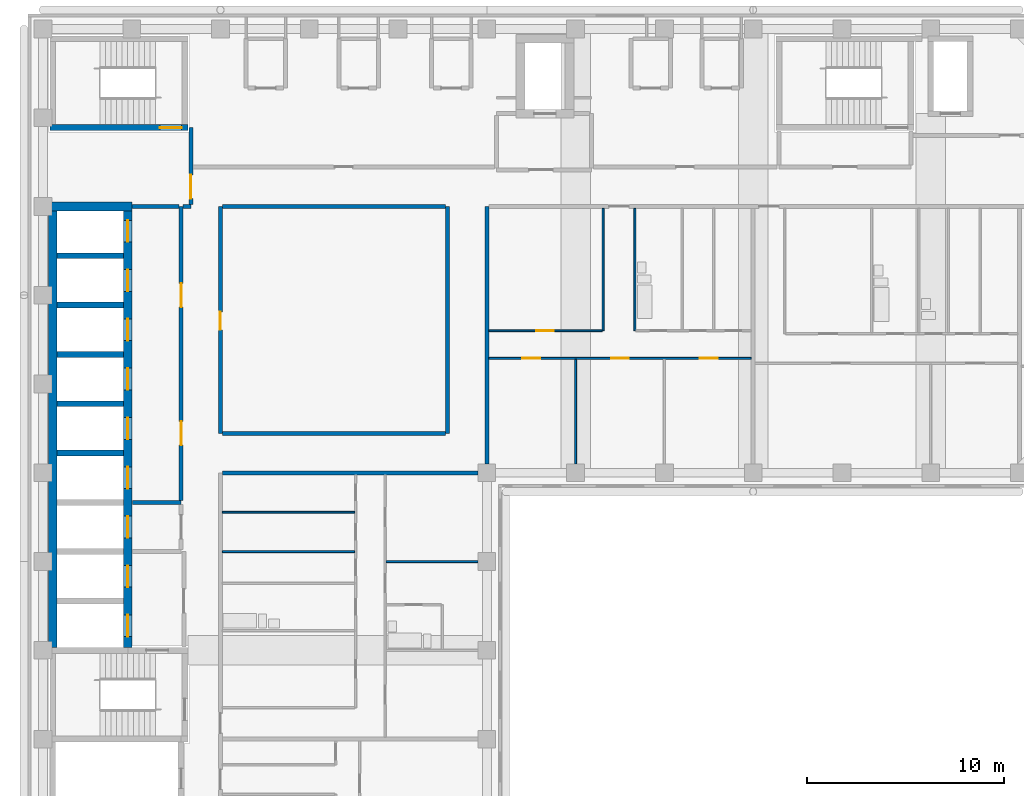
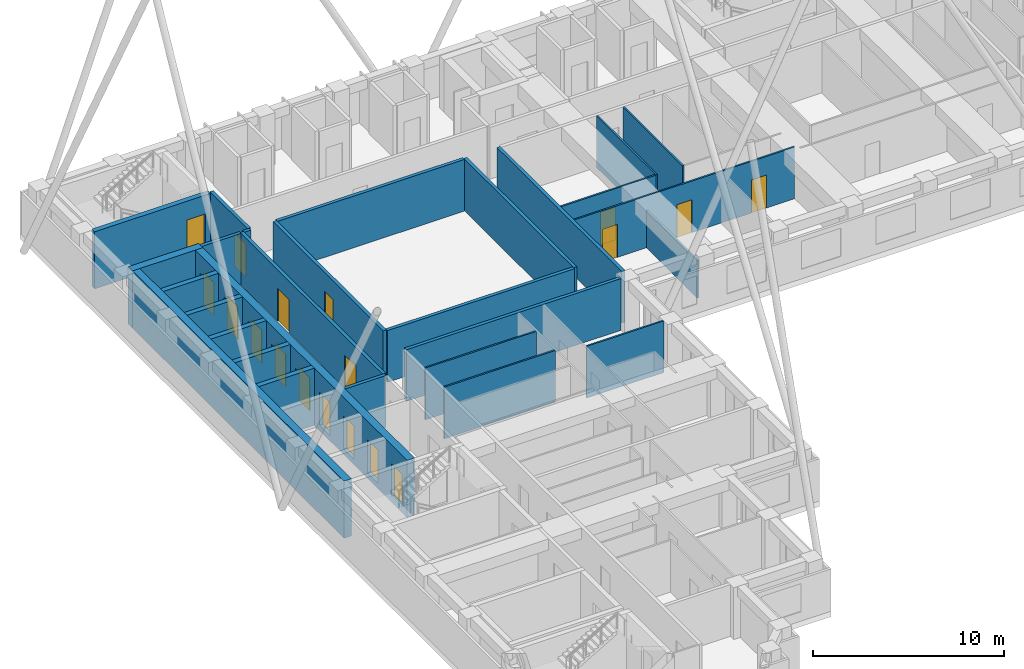
# One storey, part 5 of 11: 28 walls, 18 doors, 18 openings.
"""IFC4 building model written with IfcOpenShell, lengths in metres."""

from ifc_helpers import new_model, si_unit, direction, frame, frame_2d, origin, place, context, subcontext, project, spatial, rectangle, extrude, material, layer, layer_set, type_object, element, fill, save


model = new_model("IFC4")

# Units and contexts
model_context = context("Model", 3, precision=1e-05, world=origin(), true_north=direction((0.0, 1.0)))
body_context = subcontext(model_context, "Body", "Model", "MODEL_VIEW")
ifc_project = project(units=[si_unit("LENGTHUNIT", "METRE"), si_unit("AREAUNIT", "SQUARE_METRE"), si_unit("VOLUMEUNIT", "CUBIC_METRE"), si_unit("PLANEANGLEUNIT", "RADIAN"), si_unit("MASSUNIT", "GRAM", prefix="KILO")], contexts=[model_context])

# Site, building, storey
site_placement = place(None, origin())
site = spatial("IfcSite", under=ifc_project, at=site_placement, CompositionType="ELEMENT")
building_placement = place(site_placement, origin())
building = spatial("IfcBuilding", under=site, at=building_placement, Name="Firuza Court", CompositionType="ELEMENT")
storey_placement = place(building_placement, frame((0.0, 0.0, 186.199951171875)))
storey = spatial("IfcBuildingStorey", under=building, at=storey_placement, Name="L47", CompositionType="ELEMENT", Elevation=186.199951171875)

# Wall
ifc_material_1 = material(Name="Moisture-resistant gypsum board partition")
ifc_layer_1 = layer(ifc_material_1, 0.10009765625)
ifc_layer_set_1 = layer_set([ifc_layer_1], Name="Moisture-resistant gypsum board partition")
wall_type_1 = type_object("IfcWallType", Name="Bathroom partition 100", PredefinedType="PLUMBINGWALL", material=ifc_layer_set_1)
wall_1_placement = place(storey_placement, frame((30.0, 43.199951171875, 0.0), z_axis=(0.0, 0.0, 1.0), x_axis=(0.0, 1.0, 0.0)))
element("IfcWall", 1, at=wall_1_placement, inside=storey, type_object=wall_type_1, Name="Bathroom partition 100 L47", PredefinedType="PLUMBINGWALL", context=body_context, shape_type="SweptSolid", body=[
    extrude(rectangle(XDim=6.199951171875, YDim=0.10009765625, at=frame_2d((3.10009765625, 0.0))), origin(), (0.0, 0.0, 1.0), 3.300048828125),
])

# Wall, opening, door
ifc_material_2 = material(Name="Concrete C50/60", Category="concrete")
ifc_layer_2 = layer(ifc_material_2, 0.300048828125)
ifc_layer_set_2 = layer_set([ifc_layer_2], Name="Concrete C50/60")
wall_type_2 = type_object("IfcWallType", Name="Core wall 300 C50/60", PredefinedType="SHEAR", material=ifc_layer_set_2)
wall_2_placement = place(storey_placement, frame((0.35009765625, 53.5, -0.349853515625), z_axis=(0.0, 0.0, 1.0), x_axis=(1.0, 0.0, 0.0)))
wall_2 = element("IfcWall", 2, at=wall_2_placement, inside=storey, type_object=wall_type_2, Name="Core wall stair L47", PredefinedType="SHEAR", context=body_context, shape_type="SweptSolid", body=[
    extrude(rectangle(XDim=7.0, YDim=0.300048828125, at=frame_2d((3.5, 0.0))), origin(), (0.0, 0.0, 1.0), 3.64990234375),
])
opening_1_placement = place(wall_2_placement, frame((5.580078125, 0.0, 0.35009765625)))
opening_1 = element("IfcOpeningElement", 3, at=opening_1_placement, cuts=wall_2, Name="Opening D47014", PredefinedType="OPENING", context=body_context, shape_type="SweptSolid", body=[
    extrude(rectangle(XDim=1.10009765625, YDim=2.10009765625, at=frame_2d((0.550048828125, 1.050048828125))), frame((0.0, 0.162109375, 0.0), z_axis=(0.0, -1.0, 0.0), x_axis=(1.0, 0.0, 0.0)), (0.0, 0.0, 1.0), 0.323974609375),
])
ifc_material_3 = material(Name="Timber door leaf in hardwood frame", Category="wood")
door_type_1 = type_object("IfcDoorType", Name="Stair door 1100", OperationType="SINGLE_SWING_LEFT", PredefinedType="DOOR", material=ifc_material_3)
door_1_placement = place(opening_1_placement, origin())
door_1 = element("IfcDoor", 4, at=door_1_placement, inside=storey, type_object=door_type_1, Name="Stair door S3", OperationType="SINGLE_SWING_RIGHT", OverallHeight=2.10009765625, OverallWidth=1.10009765625, PredefinedType="DOOR", context=body_context, shape_type="SweptSolid", body=[
    extrude(rectangle(XDim=1.10009765625, YDim=2.10009765625, at=frame_2d((0.550048828125, 1.050048828125))), frame((0.0, 0.02490234375, 0.0), z_axis=(0.0, -1.0, 0.0), x_axis=(1.0, 0.0, 0.0)), (0.0, 0.0, 1.0), 0.050048828125),
])
fill(opening_1, door_1)

# Walls
for number, where, z_axis, x_axis, name in (
    (5, (0.72509765625, 37.0, -0.349853515625), (0.0, 0.0, 1.0), (1.0, 0.0, 0.0), "Core wall lift shaft L47"),
    (6, (0.72509765625, 39.5, -0.349853515625), (0.0, 0.0, 1.0), (1.0, 0.0, 0.0), "Core wall lift shaft L47"),
    (7, (0.72509765625, 42.0, -0.349853515625), (0.0, 0.0, 1.0), (1.0, 0.0, 0.0), "Core wall lift shaft L47"),
    (8, (0.72509765625, 44.5, -0.349853515625), (0.0, 0.0, 1.0), (1.0, 0.0, 0.0), "Core wall lift shaft L47"),
    (9, (0.72509765625, 47.0, -0.349853515625), (0.0, 0.0, 1.0), (1.0, 0.0, 0.0), "Core wall lift shaft L47"),
):
    element("IfcWall", number, at=place(storey_placement, frame(where, z_axis=z_axis, x_axis=x_axis)), inside=storey, type_object=wall_type_2, Name=name, PredefinedType="SHEAR", context=body_context, shape_type="SweptSolid", body=[
        extrude(rectangle(XDim=3.349853515625, YDim=0.300048828125, at=frame_2d((1.6748046875, 0.0))), origin(), (0.0, 0.0, 1.0), 3.64990234375),
    ])
ifc_layer_3 = layer(ifc_material_2, 0.449951171875)
ifc_layer_set_3 = layer_set([ifc_layer_3], Name="Concrete C50/60")
wall_type_3 = type_object("IfcWallType", Name="Core wall 450 C50/60", PredefinedType="SHEAR", material=ifc_layer_set_3)
wall_3_placement = place(storey_placement, frame((0.27490234375, 49.5, -0.349853515625), z_axis=(0.0, 0.0, 1.0), x_axis=(1.0, 0.0, 0.0)))
element("IfcWall", 10, at=wall_3_placement, inside=storey, type_object=wall_type_3, Name="Core wall lift shaft L47", PredefinedType="SHEAR", context=body_context, shape_type="SweptSolid", body=[
    extrude(rectangle(XDim=4.25, YDim=0.449951171875, at=frame_2d((2.125, 0.0))), origin(), (0.0, 0.0, 1.0), 3.64990234375),
])
wall_4_placement = place(storey_placement, frame((0.5, 27.14990234375, -0.349853515625), z_axis=(0.0, 0.0, 1.0), x_axis=(0.0, 1.0, 0.0)))
element("IfcWall", 11, at=wall_4_placement, inside=storey, type_object=wall_type_3, Name="Core wall lift shaft L47", PredefinedType="SHEAR", context=body_context, shape_type="SweptSolid", body=[
    extrude(rectangle(XDim=22.125, YDim=0.449951171875, at=frame_2d((11.0625, 0.0))), origin(), (0.0, 0.0, 1.0), 3.64990234375),
])

# Wall, openings, doors
wall_5_placement = place(storey_placement, frame((4.300048828125, 27.14990234375, -0.349853515625), z_axis=(0.0, 0.0, 1.0), x_axis=(0.0, 1.0, 0.0)))
wall_5 = element("IfcWall", 12, at=wall_5_placement, inside=storey, type_object=wall_type_3, Name="Core wall lift shaft L47", PredefinedType="SHEAR", context=body_context, shape_type="SweptSolid", body=[
    extrude(rectangle(XDim=22.125, YDim=0.449951171875, at=frame_2d((11.0625, 0.0))), origin(), (0.0, 0.0, 1.0), 3.64990234375),
])
opening_2_placement = place(wall_5_placement, frame((3.050048828125, 0.0, 0.35009765625)))
opening_2 = element("IfcOpeningElement", 13, at=opening_2_placement, cuts=wall_5, Name="Opening LD-FL1-47", PredefinedType="OPENING", context=body_context, shape_type="SweptSolid", body=[
    extrude(rectangle(XDim=1.10009765625, YDim=2.10009765625, at=frame_2d((0.550048828125, 1.050048828125))), frame((0.0, 0.23681640625, 0.0), z_axis=(0.0, -1.0, 0.0), x_axis=(1.0, 0.0, 0.0)), (0.0, 0.0, 1.0), 0.473876953125),
])
opening_3_placement = place(wall_5_placement, frame((0.550048828125, 0.0, 0.35009765625)))
opening_3 = element("IfcOpeningElement", 14, at=opening_3_placement, cuts=wall_5, Name="Opening LD-FL2-47", PredefinedType="OPENING", context=body_context, shape_type="SweptSolid", body=[
    extrude(rectangle(XDim=1.10009765625, YDim=2.10009765625, at=frame_2d((0.550048828125, 1.050048828125))), frame((0.0, 0.23681640625, 0.0), z_axis=(0.0, -1.0, 0.0), x_axis=(1.0, 0.0, 0.0)), (0.0, 0.0, 1.0), 0.473876953125),
])
opening_4_placement = place(wall_5_placement, frame((20.550048828125, 0.0, 0.35009765625)))
opening_4 = element("IfcOpeningElement", 15, at=opening_4_placement, cuts=wall_5, Name="Opening LD-HB1-47", PredefinedType="OPENING", context=body_context, shape_type="SweptSolid", body=[
    extrude(rectangle(XDim=1.10009765625, YDim=2.10009765625, at=frame_2d((0.550048828125, 1.050048828125))), frame((0.0, 0.23681640625, 0.0), z_axis=(0.0, -1.0, 0.0), x_axis=(1.0, 0.0, 0.0)), (0.0, 0.0, 1.0), 0.473876953125),
])
opening_5_placement = place(wall_5_placement, frame((18.050048828125, 0.0, 0.35009765625)))
opening_5 = element("IfcOpeningElement", 16, at=opening_5_placement, cuts=wall_5, Name="Opening LD-HB2-47", PredefinedType="OPENING", context=body_context, shape_type="SweptSolid", body=[
    extrude(rectangle(XDim=1.10009765625, YDim=2.10009765625, at=frame_2d((0.550048828125, 1.050048828125))), frame((0.0, 0.23681640625, 0.0), z_axis=(0.0, -1.0, 0.0), x_axis=(1.0, 0.0, 0.0)), (0.0, 0.0, 1.0), 0.473876953125),
])
opening_6_placement = place(wall_5_placement, frame((15.550048828125, 0.0, 0.35009765625)))
opening_6 = element("IfcOpeningElement", 17, at=opening_6_placement, cuts=wall_5, Name="Opening LD-HB3-47", PredefinedType="OPENING", context=body_context, shape_type="SweptSolid", body=[
    extrude(rectangle(XDim=1.10009765625, YDim=2.10009765625, at=frame_2d((0.550048828125, 1.050048828125))), frame((0.0, 0.23681640625, 0.0), z_axis=(0.0, -1.0, 0.0), x_axis=(1.0, 0.0, 0.0)), (0.0, 0.0, 1.0), 0.473876953125),
])
opening_7_placement = place(wall_5_placement, frame((13.050048828125, 0.0, 0.35009765625)))
opening_7 = element("IfcOpeningElement", 18, at=opening_7_placement, cuts=wall_5, Name="Opening LD-HB4-47", PredefinedType="OPENING", context=body_context, shape_type="SweptSolid", body=[
    extrude(rectangle(XDim=1.10009765625, YDim=2.10009765625, at=frame_2d((0.550048828125, 1.050048828125))), frame((0.0, 0.23681640625, 0.0), z_axis=(0.0, -1.0, 0.0), x_axis=(1.0, 0.0, 0.0)), (0.0, 0.0, 1.0), 0.473876953125),
])
opening_8_placement = place(wall_5_placement, frame((10.550048828125, 0.0, 0.35009765625)))
opening_8 = element("IfcOpeningElement", 19, at=opening_8_placement, cuts=wall_5, Name="Opening LD-HB5-47", PredefinedType="OPENING", context=body_context, shape_type="SweptSolid", body=[
    extrude(rectangle(XDim=1.10009765625, YDim=2.10009765625, at=frame_2d((0.550048828125, 1.050048828125))), frame((0.0, 0.23681640625, 0.0), z_axis=(0.0, -1.0, 0.0), x_axis=(1.0, 0.0, 0.0)), (0.0, 0.0, 1.0), 0.473876953125),
])
opening_9_placement = place(wall_5_placement, frame((8.050048828125, 0.0, 0.35009765625)))
opening_9 = element("IfcOpeningElement", 20, at=opening_9_placement, cuts=wall_5, Name="Opening LD-HB6-47", PredefinedType="OPENING", context=body_context, shape_type="SweptSolid", body=[
    extrude(rectangle(XDim=1.10009765625, YDim=2.10009765625, at=frame_2d((0.550048828125, 1.050048828125))), frame((0.0, 0.23681640625, 0.0), z_axis=(0.0, -1.0, 0.0), x_axis=(1.0, 0.0, 0.0)), (0.0, 0.0, 1.0), 0.473876953125),
])
opening_10_placement = place(wall_5_placement, frame((5.550048828125, 0.0, 0.35009765625)))
opening_10 = element("IfcOpeningElement", 21, at=opening_10_placement, cuts=wall_5, Name="Opening LD-SL1-47", PredefinedType="OPENING", context=body_context, shape_type="SweptSolid", body=[
    extrude(rectangle(XDim=1.10009765625, YDim=2.10009765625, at=frame_2d((0.550048828125, 1.050048828125))), frame((0.0, 0.23681640625, 0.0), z_axis=(0.0, -1.0, 0.0), x_axis=(1.0, 0.0, 0.0)), (0.0, 0.0, 1.0), 0.473876953125),
])
ifc_material_4 = material(Name="Stainless steel 1.4301 door leaf", Category="steel")
door_type_2 = type_object("IfcDoorType", Name="Lift landing door 1100", OperationType="SLIDING_TO_LEFT", PredefinedType="DOOR", material=ifc_material_4)
door_2_placement = place(opening_2_placement, origin())
door_2 = element("IfcDoor", 22, at=door_2_placement, inside=storey, type_object=door_type_2, Name="Landing door FL1", OperationType="SLIDING_TO_LEFT", OverallHeight=2.10009765625, OverallWidth=1.10009765625, PredefinedType="DOOR", context=body_context, shape_type="SweptSolid", body=[
    extrude(rectangle(XDim=1.10009765625, YDim=2.10009765625, at=frame_2d((0.550048828125, 1.050048828125))), frame((0.0, 0.02490234375, 0.0), z_axis=(0.0, -1.0, 0.0), x_axis=(1.0, 0.0, 0.0)), (0.0, 0.0, 1.0), 0.050048828125),
])
fill(opening_2, door_2)
door_3_placement = place(opening_3_placement, origin())
door_3 = element("IfcDoor", 23, at=door_3_placement, inside=storey, type_object=door_type_2, Name="Landing door FL2", OperationType="SLIDING_TO_LEFT", OverallHeight=2.10009765625, OverallWidth=1.10009765625, PredefinedType="DOOR", context=body_context, shape_type="SweptSolid", body=[
    extrude(rectangle(XDim=1.10009765625, YDim=2.10009765625, at=frame_2d((0.550048828125, 1.050048828125))), frame((0.0, 0.02490234375, 0.0), z_axis=(0.0, -1.0, 0.0), x_axis=(1.0, 0.0, 0.0)), (0.0, 0.0, 1.0), 0.050048828125),
])
fill(opening_3, door_3)
door_4_placement = place(opening_4_placement, origin())
door_4 = element("IfcDoor", 24, at=door_4_placement, inside=storey, type_object=door_type_2, Name="Landing door HB1", OperationType="SLIDING_TO_LEFT", OverallHeight=2.10009765625, OverallWidth=1.10009765625, PredefinedType="DOOR", context=body_context, shape_type="SweptSolid", body=[
    extrude(rectangle(XDim=1.10009765625, YDim=2.10009765625, at=frame_2d((0.550048828125, 1.050048828125))), frame((0.0, 0.02490234375, 0.0), z_axis=(0.0, -1.0, 0.0), x_axis=(1.0, 0.0, 0.0)), (0.0, 0.0, 1.0), 0.050048828125),
])
fill(opening_4, door_4)
door_5_placement = place(opening_5_placement, origin())
door_5 = element("IfcDoor", 25, at=door_5_placement, inside=storey, type_object=door_type_2, Name="Landing door HB2", OperationType="SLIDING_TO_LEFT", OverallHeight=2.10009765625, OverallWidth=1.10009765625, PredefinedType="DOOR", context=body_context, shape_type="SweptSolid", body=[
    extrude(rectangle(XDim=1.10009765625, YDim=2.10009765625, at=frame_2d((0.550048828125, 1.050048828125))), frame((0.0, 0.02490234375, 0.0), z_axis=(0.0, -1.0, 0.0), x_axis=(1.0, 0.0, 0.0)), (0.0, 0.0, 1.0), 0.050048828125),
])
fill(opening_5, door_5)
door_6_placement = place(opening_6_placement, origin())
door_6 = element("IfcDoor", 26, at=door_6_placement, inside=storey, type_object=door_type_2, Name="Landing door HB3", OperationType="SLIDING_TO_LEFT", OverallHeight=2.10009765625, OverallWidth=1.10009765625, PredefinedType="DOOR", context=body_context, shape_type="SweptSolid", body=[
    extrude(rectangle(XDim=1.10009765625, YDim=2.10009765625, at=frame_2d((0.550048828125, 1.050048828125))), frame((0.0, 0.02490234375, 0.0), z_axis=(0.0, -1.0, 0.0), x_axis=(1.0, 0.0, 0.0)), (0.0, 0.0, 1.0), 0.050048828125),
])
fill(opening_6, door_6)
door_7_placement = place(opening_7_placement, origin())
door_7 = element("IfcDoor", 27, at=door_7_placement, inside=storey, type_object=door_type_2, Name="Landing door HB4", OperationType="SLIDING_TO_LEFT", OverallHeight=2.10009765625, OverallWidth=1.10009765625, PredefinedType="DOOR", context=body_context, shape_type="SweptSolid", body=[
    extrude(rectangle(XDim=1.10009765625, YDim=2.10009765625, at=frame_2d((0.550048828125, 1.050048828125))), frame((0.0, 0.02490234375, 0.0), z_axis=(0.0, -1.0, 0.0), x_axis=(1.0, 0.0, 0.0)), (0.0, 0.0, 1.0), 0.050048828125),
])
fill(opening_7, door_7)
door_8_placement = place(opening_8_placement, origin())
door_8 = element("IfcDoor", 28, at=door_8_placement, inside=storey, type_object=door_type_2, Name="Landing door HB5", OperationType="SLIDING_TO_LEFT", OverallHeight=2.10009765625, OverallWidth=1.10009765625, PredefinedType="DOOR", context=body_context, shape_type="SweptSolid", body=[
    extrude(rectangle(XDim=1.10009765625, YDim=2.10009765625, at=frame_2d((0.550048828125, 1.050048828125))), frame((0.0, 0.02490234375, 0.0), z_axis=(0.0, -1.0, 0.0), x_axis=(1.0, 0.0, 0.0)), (0.0, 0.0, 1.0), 0.050048828125),
])
fill(opening_8, door_8)
door_9_placement = place(opening_9_placement, origin())
door_9 = element("IfcDoor", 29, at=door_9_placement, inside=storey, type_object=door_type_2, Name="Landing door HB6", OperationType="SLIDING_TO_LEFT", OverallHeight=2.10009765625, OverallWidth=1.10009765625, PredefinedType="DOOR", context=body_context, shape_type="SweptSolid", body=[
    extrude(rectangle(XDim=1.10009765625, YDim=2.10009765625, at=frame_2d((0.550048828125, 1.050048828125))), frame((0.0, 0.02490234375, 0.0), z_axis=(0.0, -1.0, 0.0), x_axis=(1.0, 0.0, 0.0)), (0.0, 0.0, 1.0), 0.050048828125),
])
fill(opening_9, door_9)
door_10_placement = place(opening_10_placement, origin())
door_10 = element("IfcDoor", 30, at=door_10_placement, inside=storey, type_object=door_type_2, Name="Landing door SL1", OperationType="SLIDING_TO_LEFT", OverallHeight=2.10009765625, OverallWidth=1.10009765625, PredefinedType="DOOR", context=body_context, shape_type="SweptSolid", body=[
    extrude(rectangle(XDim=1.10009765625, YDim=2.10009765625, at=frame_2d((0.550048828125, 1.050048828125))), frame((0.0, 0.02490234375, 0.0), z_axis=(0.0, -1.0, 0.0), x_axis=(1.0, 0.0, 0.0)), (0.0, 0.0, 1.0), 0.050048828125),
])
fill(opening_10, door_10)

# Wall, opening, door
ifc_material_5 = material(Name="Blockwork, plastered both sides", Category="masonry")
ifc_layer_4 = layer(ifc_material_5, 0.199951171875)
ifc_layer_set_4 = layer_set([ifc_layer_4], Name="Blockwork, plastered both sides")
wall_type_4 = type_object("IfcWallType", Name="Corridor wall 200", PredefinedType="PARTITIONING", material=ifc_layer_set_4)
wall_6_placement = place(storey_placement, frame((9.0, 38.0, 0.0), z_axis=(0.0, 0.0, 1.0), x_axis=(0.0, 1.0, 0.0)))
wall_6 = element("IfcWall", 31, at=wall_6_placement, inside=storey, type_object=wall_type_4, Name="Corridor wall 200 L47", PredefinedType="PARTITIONING", context=body_context, shape_type="SweptSolid", body=[
    extrude(rectangle(XDim=11.5, YDim=0.199951171875, at=frame_2d((5.75, 0.0))), origin(), (0.0, 0.0, 1.0), 3.300048828125),
])
opening_11_placement = place(wall_6_placement, frame((5.25, 0.0, 0.0)))
opening_11 = element("IfcOpeningElement", 32, at=opening_11_placement, cuts=wall_6, Name="Opening D47037", PredefinedType="OPENING", context=body_context, shape_type="SweptSolid", body=[
    extrude(rectangle(XDim=0.89990234375, YDim=2.10009765625, at=frame_2d((0.449951171875, 1.050048828125))), frame((0.0, 0.11181640625, 0.0), z_axis=(0.0, -1.0, 0.0), x_axis=(1.0, 0.0, 0.0)), (0.0, 0.0, 1.0), 0.223876953125),
])
ifc_material_6 = material(Name="Timber door leaf in hardwood frame", Category="wood")
door_type_3 = type_object("IfcDoorType", Name="Room door 900 EI 30", OperationType="SINGLE_SWING_LEFT", PredefinedType="DOOR", material=ifc_material_6)
door_11_placement = place(opening_11_placement, origin())
door_11 = element("IfcDoor", 33, at=door_11_placement, inside=storey, type_object=door_type_3, Name="Residents' club lounge door", OperationType="SINGLE_SWING_LEFT", OverallHeight=2.10009765625, OverallWidth=0.89990234375, PredefinedType="DOOR", context=body_context, shape_type="SweptSolid", body=[
    extrude(rectangle(XDim=0.89990234375, YDim=2.10009765625, at=frame_2d((0.449951171875, 1.050048828125))), frame((0.0, 0.02490234375, 0.0), z_axis=(0.0, -1.0, 0.0), x_axis=(1.0, 0.0, 0.0)), (0.0, 0.0, 1.0), 0.050048828125),
])
fill(opening_11, door_11)

# Walls
wall_7_placement = place(storey_placement, frame((9.10009765625, 38.0, 0.0), z_axis=(0.0, 0.0, 1.0), x_axis=(1.0, 0.0, 0.0)))
element("IfcWall", 34, at=wall_7_placement, inside=storey, type_object=wall_type_4, Name="Corridor wall 200 L47", PredefinedType="PARTITIONING", context=body_context, shape_type="SweptSolid", body=[
    extrude(rectangle(XDim=11.2998046875, YDim=0.199951171875, at=frame_2d((5.64990234375, 0.0))), origin(), (0.0, 0.0, 1.0), 3.300048828125),
])
wall_8_placement = place(storey_placement, frame((20.5, 38.0, 0.0), z_axis=(0.0, 0.0, 1.0), x_axis=(0.0, 1.0, 0.0)))
element("IfcWall", 35, at=wall_8_placement, inside=storey, type_object=wall_type_4, Name="Corridor wall 200 L47", PredefinedType="PARTITIONING", context=body_context, shape_type="SweptSolid", body=[
    extrude(rectangle(XDim=11.5, YDim=0.199951171875, at=frame_2d((5.75, 0.0))), origin(), (0.0, 0.0, 1.0), 3.300048828125),
])
wall_9_placement = place(storey_placement, frame((9.10009765625, 49.5, 0.0), z_axis=(0.0, 0.0, 1.0), x_axis=(1.0, 0.0, 0.0)))
element("IfcWall", 36, at=wall_9_placement, inside=storey, type_object=wall_type_4, Name="Corridor wall 200 L47", PredefinedType="PARTITIONING", context=body_context, shape_type="SweptSolid", body=[
    extrude(rectangle(XDim=11.2998046875, YDim=0.199951171875, at=frame_2d((5.64990234375, 0.0))), origin(), (0.0, 0.0, 1.0), 3.300048828125),
])
ifc_material_7 = material(Name="Timber stud partition, plasterboard both sides", Category="wood")
ifc_layer_5 = layer(ifc_material_7, 0.10009765625)
ifc_layer_set_5 = layer_set([ifc_layer_5], Name="Timber stud partition, plasterboard both sides")
wall_type_5 = type_object("IfcWallType", Name="Partition wall 100", PredefinedType="PARTITIONING", material=ifc_layer_set_5)
wall_10_placement = place(storey_placement, frame((17.39990234375, 31.5, 0.0), z_axis=(0.0, 0.0, 1.0), x_axis=(1.0, 0.0, 0.0)))
element("IfcWall", 37, at=wall_10_placement, inside=storey, type_object=wall_type_5, Name="Partition wall 100 L47", PredefinedType="PARTITIONING", context=body_context, shape_type="SweptSolid", body=[
    extrude(rectangle(XDim=4.650146484375, YDim=0.10009765625, at=frame_2d((2.3251953125, 0.0))), origin(), (0.0, 0.0, 1.0), 3.300048828125),
])
for number, where, z_axis, x_axis, name in (
    (38, (9.10009765625, 32.0, 0.0), (0.0, 0.0, 1.0), (1.0, 0.0, 0.0), "Partition wall 100 L47"),
    (39, (9.10009765625, 34.0, 0.0), (0.0, 0.0, 1.0), (1.0, 0.0, 0.0), "Partition wall 100 L47"),
):
    element("IfcWall", number, at=place(storey_placement, frame(where, z_axis=z_axis, x_axis=x_axis)), inside=storey, type_object=wall_type_5, Name=name, PredefinedType="PARTITIONING", context=body_context, shape_type="SweptSolid", body=[
        extrude(rectangle(XDim=6.699951171875, YDim=0.10009765625, at=frame_2d((3.35009765625, 0.0))), origin(), (0.0, 0.0, 1.0), 3.300048828125),
    ])
wall_11_placement = place(storey_placement, frame((27.0, 36.449951171875, 0.0), z_axis=(0.0, 0.0, 1.0), x_axis=(0.0, 1.0, 0.0)))
element("IfcWall", 40, at=wall_11_placement, inside=storey, type_object=wall_type_5, Name="Partition wall 100 L47", PredefinedType="PARTITIONING", context=body_context, shape_type="SweptSolid", body=[
    extrude(rectangle(XDim=5.300048828125, YDim=0.10009765625, at=frame_2d((2.64990234375, 0.0))), origin(), (0.0, 0.0, 1.0), 2.400146484375),
])

# Wall, openings, doors
wall_12_placement = place(storey_placement, frame((22.60009765625, 41.800048828125, 0.0), z_axis=(0.0, 0.0, 1.0), x_axis=(1.0, 0.0, 0.0)))
wall_12 = element("IfcWall", 41, at=wall_12_placement, inside=storey, type_object=wall_type_5, Name="Partition wall 100 L47", PredefinedType="PARTITIONING", context=body_context, shape_type="SweptSolid", body=[
    extrude(rectangle(XDim=13.2998046875, YDim=0.10009765625, at=frame_2d((6.64990234375, 0.0))), origin(), (0.0, 0.0, 1.0), 3.300048828125),
])
opening_12_placement = place(wall_12_placement, frame((1.699951171875, 0.0, 0.0)))
opening_12 = element("IfcOpeningElement", 42, at=opening_12_placement, cuts=wall_12, Name="Opening D47041", PredefinedType="OPENING", context=body_context, shape_type="SweptSolid", body=[
    extrude(rectangle(XDim=0.89990234375, YDim=2.10009765625, at=frame_2d((0.449951171875, 1.050048828125))), frame((0.0, 0.06201171875, 0.0), z_axis=(0.0, -1.0, 0.0), x_axis=(1.0, 0.0, 0.0)), (0.0, 0.0, 1.0), 0.1240234375),
])
opening_13_placement = place(wall_12_placement, frame((6.199951171875, 0.0, 0.0)))
opening_13 = element("IfcOpeningElement", 43, at=opening_13_placement, cuts=wall_12, Name="Opening D47042", PredefinedType="OPENING", context=body_context, shape_type="SweptSolid", body=[
    extrude(rectangle(XDim=0.89990234375, YDim=2.10009765625, at=frame_2d((0.449951171875, 1.050048828125))), frame((0.0, 0.06201171875, 0.0), z_axis=(0.0, -1.0, 0.0), x_axis=(1.0, 0.0, 0.0)), (0.0, 0.0, 1.0), 0.1240234375),
])
opening_14_placement = place(wall_12_placement, frame((10.699951171875, 0.0, 0.0)))
opening_14 = element("IfcOpeningElement", 44, at=opening_14_placement, cuts=wall_12, Name="Opening D47043", PredefinedType="OPENING", context=body_context, shape_type="SweptSolid", body=[
    extrude(rectangle(XDim=0.89990234375, YDim=2.10009765625, at=frame_2d((0.449951171875, 1.050048828125))), frame((0.0, 0.06201171875, 0.0), z_axis=(0.0, -1.0, 0.0), x_axis=(1.0, 0.0, 0.0)), (0.0, 0.0, 1.0), 0.1240234375),
])
ifc_material_8 = material(Name="Timber door leaf in hardwood frame", Category="wood")
door_type_4 = type_object("IfcDoorType", Name="Room door 900", OperationType="SINGLE_SWING_LEFT", PredefinedType="DOOR", material=ifc_material_8)
door_12_placement = place(opening_12_placement, frame((0.89990234375, 0.0, 0.0), z_axis=(0.0, 0.0, 1.0), x_axis=(-1.0, 0.0, 0.0)))
door_12 = element("IfcDoor", 45, at=door_12_placement, inside=storey, type_object=door_type_4, Name="Living room door", OperationType="SINGLE_SWING_RIGHT", OverallHeight=2.10009765625, OverallWidth=0.89990234375, PredefinedType="DOOR", context=body_context, shape_type="SweptSolid", body=[
    extrude(rectangle(XDim=0.89990234375, YDim=2.10009765625, at=frame_2d((0.449951171875, 1.050048828125))), frame((0.0, 0.02490234375, 0.0), z_axis=(0.0, -1.0, 0.0), x_axis=(1.0, 0.0, 0.0)), (0.0, 0.0, 1.0), 0.050048828125),
])
fill(opening_12, door_12)
door_13_placement = place(opening_13_placement, frame((0.89990234375, 0.0, 0.0), z_axis=(0.0, 0.0, 1.0), x_axis=(-1.0, 0.0, 0.0)))
door_13 = element("IfcDoor", 46, at=door_13_placement, inside=storey, type_object=door_type_4, Name="Bedroom door", OperationType="SINGLE_SWING_RIGHT", OverallHeight=2.10009765625, OverallWidth=0.89990234375, PredefinedType="DOOR", context=body_context, shape_type="SweptSolid", body=[
    extrude(rectangle(XDim=0.89990234375, YDim=2.10009765625, at=frame_2d((0.449951171875, 1.050048828125))), frame((0.0, 0.02490234375, 0.0), z_axis=(0.0, -1.0, 0.0), x_axis=(1.0, 0.0, 0.0)), (0.0, 0.0, 1.0), 0.050048828125),
])
fill(opening_13, door_13)
door_14_placement = place(opening_14_placement, frame((0.89990234375, 0.0, 0.0), z_axis=(0.0, 0.0, 1.0), x_axis=(-1.0, 0.0, 0.0)))
door_14 = element("IfcDoor", 47, at=door_14_placement, inside=storey, type_object=door_type_4, Name="Study door", OperationType="SINGLE_SWING_RIGHT", OverallHeight=2.10009765625, OverallWidth=0.89990234375, PredefinedType="DOOR", context=body_context, shape_type="SweptSolid", body=[
    extrude(rectangle(XDim=0.89990234375, YDim=2.10009765625, at=frame_2d((0.449951171875, 1.050048828125))), frame((0.0, 0.02490234375, 0.0), z_axis=(0.0, -1.0, 0.0), x_axis=(1.0, 0.0, 0.0)), (0.0, 0.0, 1.0), 0.050048828125),
])
fill(opening_14, door_14)

# Wall, opening, door
wall_13_placement = place(storey_placement, frame((22.60009765625, 43.199951171875, 0.0), z_axis=(0.0, 0.0, 1.0), x_axis=(1.0, 0.0, 0.0)))
wall_13 = element("IfcWall", 48, at=wall_13_placement, inside=storey, type_object=wall_type_5, Name="Partition wall 100 L47", PredefinedType="PARTITIONING", context=body_context, shape_type="SweptSolid", body=[
    extrude(rectangle(XDim=5.75, YDim=0.10009765625, at=frame_2d((2.875, 0.0))), origin(), (0.0, 0.0, 1.0), 3.300048828125),
])
opening_15_placement = place(wall_13_placement, frame((2.39990234375, 0.0, 0.0)))
opening_15 = element("IfcOpeningElement", 49, at=opening_15_placement, cuts=wall_13, Name="Opening D47049", PredefinedType="OPENING", context=body_context, shape_type="SweptSolid", body=[
    extrude(rectangle(XDim=0.89990234375, YDim=2.10009765625, at=frame_2d((0.449951171875, 1.050048828125))), frame((0.0, 0.06201171875, 0.0), z_axis=(0.0, -1.0, 0.0), x_axis=(1.0, 0.0, 0.0)), (0.0, 0.0, 1.0), 0.1240234375),
])
door_15_placement = place(opening_15_placement, origin())
door_15 = element("IfcDoor", 50, at=door_15_placement, inside=storey, type_object=door_type_4, Name="Kitchen door", OperationType="SINGLE_SWING_LEFT", OverallHeight=2.10009765625, OverallWidth=0.89990234375, PredefinedType="DOOR", context=body_context, shape_type="SweptSolid", body=[
    extrude(rectangle(XDim=0.89990234375, YDim=2.10009765625, at=frame_2d((0.449951171875, 1.050048828125))), frame((0.0, 0.02490234375, 0.0), z_axis=(0.0, -1.0, 0.0), x_axis=(1.0, 0.0, 0.0)), (0.0, 0.0, 1.0), 0.050048828125),
])
fill(opening_15, door_15)

# Walls
wall_14_placement = place(storey_placement, frame((28.39990234375, 43.199951171875, 0.0), z_axis=(0.0, 0.0, 1.0), x_axis=(0.0, 1.0, 0.0)))
element("IfcWall", 51, at=wall_14_placement, inside=storey, type_object=wall_type_5, Name="Partition wall 100 L47", PredefinedType="PARTITIONING", context=body_context, shape_type="SweptSolid", body=[
    extrude(rectangle(XDim=6.199951171875, YDim=0.10009765625, at=frame_2d((3.10009765625, 0.0))), origin(), (0.0, 0.0, 1.0), 3.300048828125),
])
ifc_layer_6 = layer(ifc_material_5, 0.199951171875)
ifc_layer_set_6 = layer_set([ifc_layer_6], Name="Blockwork, plastered both sides")
wall_type_6 = type_object("IfcWallType", Name="Party wall 200", PredefinedType="PARTITIONING", material=ifc_layer_set_6)
wall_15_placement = place(storey_placement, frame((9.10009765625, 36.0, 0.0), z_axis=(0.0, 0.0, 1.0), x_axis=(1.0, 0.0, 0.0)))
element("IfcWall", 52, at=wall_15_placement, inside=storey, type_object=wall_type_6, Name="Party wall 200 L47", PredefinedType="PARTITIONING", context=body_context, shape_type="SweptSolid", body=[
    extrude(rectangle(XDim=12.949951171875, YDim=0.199951171875, at=frame_2d((6.47509765625, 0.0))), origin(), (0.0, 0.0, 1.0), 3.300048828125),
])
wall_16_placement = place(storey_placement, frame((22.5, 36.449951171875, 0.0), z_axis=(0.0, 0.0, 1.0), x_axis=(0.0, 1.0, 0.0)))
element("IfcWall", 53, at=wall_16_placement, inside=storey, type_object=wall_type_6, Name="Party wall 200 L47", PredefinedType="PARTITIONING", context=body_context, shape_type="SweptSolid", body=[
    extrude(rectangle(XDim=13.050048828125, YDim=0.199951171875, at=frame_2d((6.52490234375, 0.0))), origin(), (0.0, 0.0, 1.0), 3.300048828125),
])
ifc_material_9 = material(Name="Blockwork, fire-rated", Category="masonry")
ifc_layer_7 = layer(ifc_material_9, 0.199951171875)
ifc_layer_set_7 = layer_set([ifc_layer_7], Name="Blockwork, fire-rated")
wall_type_7 = type_object("IfcWallType", Name="Shaft wall 200", PredefinedType="PARTITIONING", material=ifc_layer_set_7)
wall_17_placement = place(storey_placement, frame((4.544921875, 34.5, 0.0), z_axis=(0.0, 0.0, 1.0), x_axis=(1.0, 0.0, 0.0)))
element("IfcWall", 54, at=wall_17_placement, inside=storey, type_object=wall_type_7, Name="Shaft wall 200 L47", PredefinedType="PARTITIONING", context=body_context, shape_type="SweptSolid", body=[
    extrude(rectangle(XDim=2.455078125, YDim=0.199951171875, at=frame_2d((1.2275390625, 0.0))), origin(), (0.0, 0.0, 1.0), 3.300048828125),
])

# Wall, openings, doors
wall_18_placement = place(storey_placement, frame((7.0, 34.60009765625, 0.0), z_axis=(0.0, 0.0, 1.0), x_axis=(0.0, 1.0, 0.0)))
wall_18 = element("IfcWall", 55, at=wall_18_placement, inside=storey, type_object=wall_type_7, Name="Shaft wall 200 L47", PredefinedType="PARTITIONING", context=body_context, shape_type="SweptSolid", body=[
    extrude(rectangle(XDim=14.89990234375, YDim=0.199951171875, at=frame_2d((7.449951171875, 0.0))), origin(), (0.0, 0.0, 1.0), 3.300048828125),
])
opening_16_placement = place(wall_18_placement, frame((2.800048828125, 0.0, 0.0)))
opening_16 = element("IfcOpeningElement", 56, at=opening_16_placement, cuts=wall_18, Name="Opening D47004", PredefinedType="OPENING", context=body_context, shape_type="SweptSolid", body=[
    extrude(rectangle(XDim=1.199951171875, YDim=2.10009765625, at=frame_2d((0.60009765625, 1.050048828125))), frame((0.0, 0.11181640625, 0.0), z_axis=(0.0, -1.0, 0.0), x_axis=(1.0, 0.0, 0.0)), (0.0, 0.0, 1.0), 0.223876953125),
])
opening_17_placement = place(wall_18_placement, frame((9.800048828125, 0.0, 0.0)))
opening_17 = element("IfcOpeningElement", 57, at=opening_17_placement, cuts=wall_18, Name="Opening D47005", PredefinedType="OPENING", context=body_context, shape_type="SweptSolid", body=[
    extrude(rectangle(XDim=1.199951171875, YDim=2.10009765625, at=frame_2d((0.60009765625, 1.050048828125))), frame((0.0, 0.11181640625, 0.0), z_axis=(0.0, -1.0, 0.0), x_axis=(1.0, 0.0, 0.0)), (0.0, 0.0, 1.0), 0.223876953125),
])
ifc_material_10 = material(Name="Timber door leaf in hardwood frame", Category="wood")
door_type_5 = type_object("IfcDoorType", Name="Lobby door 1200", OperationType="SINGLE_SWING_LEFT", PredefinedType="DOOR", material=ifc_material_10)
door_16_placement = place(opening_16_placement, origin())
door_16 = element("IfcDoor", 58, at=door_16_placement, inside=storey, type_object=door_type_5, Name="Lobby door", OperationType="SINGLE_SWING_LEFT", OverallHeight=2.10009765625, OverallWidth=1.199951171875, PredefinedType="DOOR", context=body_context, shape_type="SweptSolid", body=[
    extrude(rectangle(XDim=1.199951171875, YDim=2.10009765625, at=frame_2d((0.60009765625, 1.050048828125))), frame((0.0, 0.02490234375, 0.0), z_axis=(0.0, -1.0, 0.0), x_axis=(1.0, 0.0, 0.0)), (0.0, 0.0, 1.0), 0.050048828125),
])
fill(opening_16, door_16)
door_17_placement = place(opening_17_placement, origin())
door_17 = element("IfcDoor", 59, at=door_17_placement, inside=storey, type_object=door_type_5, Name="Lobby door", OperationType="SINGLE_SWING_RIGHT", OverallHeight=2.10009765625, OverallWidth=1.199951171875, PredefinedType="DOOR", context=body_context, shape_type="SweptSolid", body=[
    extrude(rectangle(XDim=1.199951171875, YDim=2.10009765625, at=frame_2d((0.60009765625, 1.050048828125))), frame((0.0, 0.02490234375, 0.0), z_axis=(0.0, -1.0, 0.0), x_axis=(1.0, 0.0, 0.0)), (0.0, 0.0, 1.0), 0.050048828125),
])
fill(opening_17, door_17)

# Walls
wall_19_placement = place(storey_placement, frame((4.52490234375, 49.5, 0.0), z_axis=(0.0, 0.0, 1.0), x_axis=(1.0, 0.0, 0.0)))
element("IfcWall", 60, at=wall_19_placement, inside=storey, type_object=wall_type_7, Name="Shaft wall 200 L47", PredefinedType="PARTITIONING", context=body_context, shape_type="SweptSolid", body=[
    extrude(rectangle(XDim=2.375, YDim=0.199951171875, at=frame_2d((1.1875, 0.0))), origin(), (0.0, 0.0, 1.0), 3.300048828125),
])
wall_20_placement = place(storey_placement, frame((7.10009765625, 49.5, 0.0), z_axis=(0.0, 0.0, 1.0), x_axis=(1.0, 0.0, 0.0)))
element("IfcWall", 61, at=wall_20_placement, inside=storey, type_object=wall_type_7, Name="Shaft wall 200 L47", PredefinedType="PARTITIONING", context=body_context, shape_type="SweptSolid", body=[
    extrude(rectangle(XDim=0.39990234375, YDim=0.199951171875, at=frame_2d((0.199951171875, 0.0))), origin(), (0.0, 0.0, 1.0), 3.300048828125),
])

# Wall, opening, door
wall_21_placement = place(storey_placement, frame((7.5, 49.60009765625, 0.0), z_axis=(0.0, 0.0, 1.0), x_axis=(0.0, 1.0, 0.0)))
wall_21 = element("IfcWall", 62, at=wall_21_placement, inside=storey, type_object=wall_type_7, Name="Shaft wall 200 L47", PredefinedType="PARTITIONING", context=body_context, shape_type="SweptSolid", body=[
    extrude(rectangle(XDim=3.89990234375, YDim=0.199951171875, at=frame_2d((1.949951171875, 0.0))), origin(), (0.0, 0.0, 1.0), 3.300048828125),
])
opening_18_placement = place(wall_21_placement, frame((0.300048828125, 0.0, 0.0)))
opening_18 = element("IfcOpeningElement", 63, at=opening_18_placement, cuts=wall_21, Name="Opening D47001", PredefinedType="OPENING", context=body_context, shape_type="SweptSolid", body=[
    extrude(rectangle(XDim=1.199951171875, YDim=2.10009765625, at=frame_2d((0.60009765625, 1.050048828125))), frame((0.0, 0.11181640625, 0.0), z_axis=(0.0, -1.0, 0.0), x_axis=(1.0, 0.0, 0.0)), (0.0, 0.0, 1.0), 0.223876953125),
])
door_18_placement = place(opening_18_placement, origin())
door_18 = element("IfcDoor", 64, at=door_18_placement, inside=storey, type_object=door_type_5, Name="Lobby door", OperationType="SINGLE_SWING_LEFT", OverallHeight=2.10009765625, OverallWidth=1.199951171875, PredefinedType="DOOR", context=body_context, shape_type="SweptSolid", body=[
    extrude(rectangle(XDim=1.199951171875, YDim=2.10009765625, at=frame_2d((0.60009765625, 1.050048828125))), frame((0.0, 0.02490234375, 0.0), z_axis=(0.0, -1.0, 0.0), x_axis=(1.0, 0.0, 0.0)), (0.0, 0.0, 1.0), 0.050048828125),
])
fill(opening_18, door_18)

save(model, "model.ifc")
